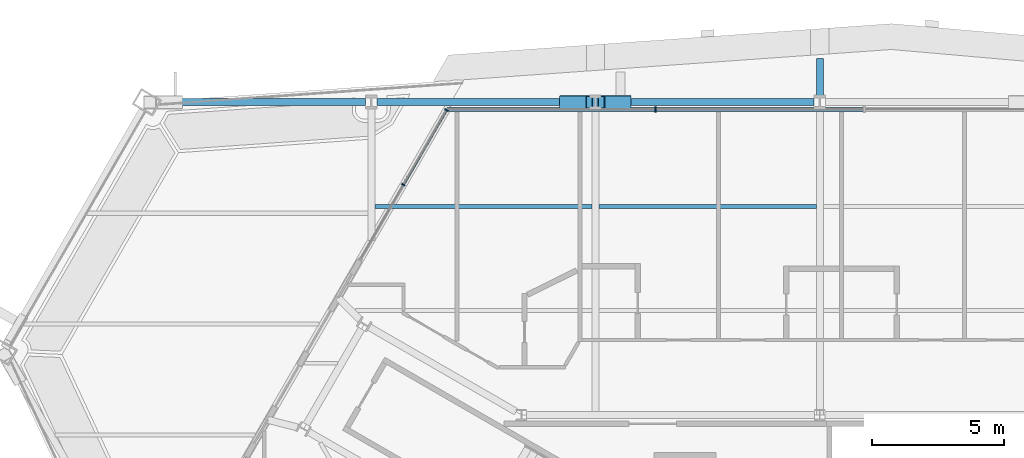
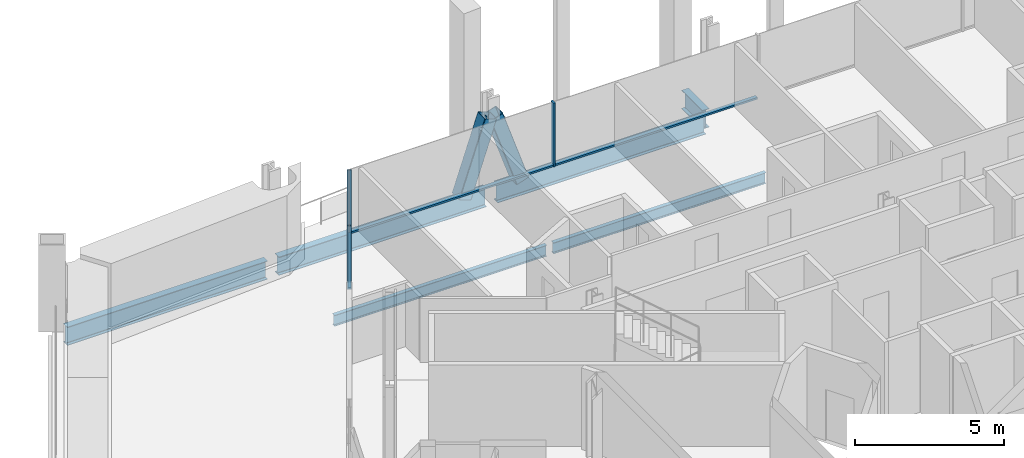
# One storey, part 8 of 19: 8 members, 6 beams, 2 elements without a shape of their own.
"""IFC4 building model written with IfcOpenShell, lengths in metres."""

import ifcopenshell
import ifcopenshell.guid

model = None  # the IFC model being written
_history = None  # IfcOwnerHistory: only IFC2X3 demands one
_inside = {}  # id of a spatial element -> (the spatial element, [elements in it])
_under = {}  # id of a project, library or spatial element -> (it, [spatial elements below it])
_declared = {}  # id of a project -> (the project, [libraries it declares])
_typed = {}  # id of a type object -> (the type object, [elements of that type])
_made_of = {}  # id of a material, layer set ... -> (it, [elements and type objects made of it])


def new_model(schema):
    """Start an empty IFC model of exactly this schema.

    Asked for "IFC4X3", IfcOpenShell would pick the latest addendum, in which some entities
    have other attributes; the version numbers below select the first issue.
    IFC2X3 requires an IfcOwnerHistory on every rooted entity: one is made here for all.
    """
    global model, _history
    if schema == "IFC4X3":
        model = ifcopenshell.file(schema_version=(4, 3, 0, 0))
    else:
        model = ifcopenshell.file(schema=schema)
    _inside.clear()
    _under.clear()
    _declared.clear()
    _typed.clear()
    _made_of.clear()
    _history = None
    if model.schema == "IFC2X3":
        org = make("IfcOrganization", Name="unknown")
        user = make(
            "IfcPersonAndOrganization",
            ThePerson=make("IfcPerson", FamilyName="unknown"),
            TheOrganization=org,
        )
        app = make(
            "IfcApplication",
            ApplicationDeveloper=org,
            Version="unknown",
            ApplicationFullName="unknown",
            ApplicationIdentifier="unknown",
        )
        _history = make(
            "IfcOwnerHistory",
            OwningUser=user,
            OwningApplication=app,
            ChangeAction="ADDED",
            CreationDate=0,
        )
    return model


def make(cls, **values):
    """One entity of the class cls with the attributes given. An attribute that is None is left unset."""
    return model.create_entity(
        cls, **{name: value for name, value in values.items() if value is not None}
    )


def rooted(cls, **values):
    """An entity with a GlobalId (a new one), such as an element, a storey or a relation."""
    return make(cls, GlobalId=ifcopenshell.guid.new(), OwnerHistory=_history, **values)


def si_unit(unit_type, name, prefix=None):
    """IfcSIUnit, for example si_unit("LENGTHUNIT", "METRE", prefix="MILLI")."""
    return make("IfcSIUnit", UnitType=unit_type, Prefix=prefix, Name=name)


def assignment(units):
    """IfcUnitAssignment: the units of a project."""
    return None if units is None else make("IfcUnitAssignment", Units=units)


def point(xyz):
    """IfcCartesianPoint."""
    return None if xyz is None else make("IfcCartesianPoint", Coordinates=xyz)


def direction(xyz):
    """IfcDirection."""
    return None if xyz is None else make("IfcDirection", DirectionRatios=xyz)


def frame(location, z_axis=None, x_axis=None):
    """IfcAxis2Placement3D, a coordinate frame: its origin and axes. An axis left out is left unset."""
    return make(
        "IfcAxis2Placement3D",
        Location=point(location),
        Axis=direction(z_axis),
        RefDirection=direction(x_axis),
    )


def frame_2d(location, x_axis=None):
    """IfcAxis2Placement2D, a coordinate frame in the plane: its origin and x axis."""
    return make(
        "IfcAxis2Placement2D", Location=point(location), RefDirection=direction(x_axis)
    )


def origin():
    """The frame at (0, 0, 0) with its axes left unset."""
    return frame((0.0, 0.0, 0.0))


def origin_2d():
    """The frame at (0, 0) in the plane with its x axis left unset."""
    return frame_2d((0.0, 0.0))


def place(relative_to, where):
    """IfcLocalPlacement: puts the frame where relative to a parent placement (None: the world)."""
    return make(
        "IfcLocalPlacement", PlacementRelTo=relative_to, RelativePlacement=where
    )


def context(
    kind, dimensions, precision=None, world=None, true_north=None, identifier=None
):
    """IfcGeometricRepresentationContext, for example the 3D "Model" context."""
    return make(
        "IfcGeometricRepresentationContext",
        ContextIdentifier=identifier,
        ContextType=kind,
        CoordinateSpaceDimension=dimensions,
        Precision=precision,
        WorldCoordinateSystem=world,
        TrueNorth=true_north,
    )


def subcontext(parent, identifier, kind, view, scale=None):
    """IfcGeometricRepresentationSubContext, for example "Body" below "Model"."""
    return make(
        "IfcGeometricRepresentationSubContext",
        ContextIdentifier=identifier,
        ContextType=kind,
        ParentContext=parent,
        TargetScale=scale,
        TargetView=view,
    )


def project(units=None, contexts=None):
    """IfcProject with its units and contexts."""
    return rooted(
        "IfcProject",
        Name="project",
        RepresentationContexts=contexts,
        UnitsInContext=assignment(units),
    )


def spatial(cls, under=None, at=None, **own):
    """A site, building, storey or space (cls), placed at a placement, below another one or the project."""
    s = rooted(cls, ObjectPlacement=at, **own)
    if under is not None:
        _under.setdefault(under.id(), (under, []))[1].append(s)
    return s


def profile(cls, at=None, kind="AREA", **sizes):
    """A parametric profile (cls). Its sizes go by their IFC names, for example OverallWidth=200.0."""
    return make(cls, ProfileType=kind, Position=at, **sizes)


def rectangle(**sizes):
    """IfcRectangleProfileDef."""
    return profile("IfcRectangleProfileDef", **sizes)


def hollow_rectangle(**sizes):
    """IfcRectangleHollowProfileDef."""
    return profile("IfcRectangleHollowProfileDef", **sizes)


def i_section(**sizes):
    """IfcIShapeProfileDef."""
    return profile("IfcIShapeProfileDef", **sizes)


def extrude(swept, where, along, depth):
    """IfcExtrudedAreaSolid: the profile swept, set in the frame where, extruded along a direction by depth."""
    return make(
        "IfcExtrudedAreaSolid",
        SweptArea=swept,
        Position=where,
        ExtrudedDirection=direction(along),
        Depth=depth,
    )


def shape(context_of_items, identifier, shape_type, items):
    """IfcShapeRepresentation: the items that make up one representation, for example the "Body"."""
    return make(
        "IfcShapeRepresentation",
        ContextOfItems=context_of_items,
        RepresentationIdentifier=identifier,
        RepresentationType=shape_type,
        Items=items,
    )


def material(Name=None, Category=None):
    """IfcMaterial."""
    return make("IfcMaterial", Name=Name, Category=Category)


def material_profile(
    of_material, cross_section, Name=None, Category=None, Priority=None
):
    """IfcMaterialProfile: a cross section and its material."""
    return make(
        "IfcMaterialProfile",
        Name=Name,
        Material=of_material,
        Profile=cross_section,
        Priority=Priority,
        Category=Category,
    )


def profile_set(profiles, Name=None, composite=None):
    """IfcMaterialProfileSet."""
    return make(
        "IfcMaterialProfileSet",
        Name=Name,
        MaterialProfiles=profiles,
        CompositeProfile=composite,
    )


def made_of(thing, what):
    """Note that an element or type object is made of a material, layer set ...; save() writes the relation."""
    if what is not None:
        _made_of.setdefault(what.id(), (what, []))[1].append(thing)
    return thing


def type_object(cls, material=None, **own):
    """A type object (cls), such as IfcWallType, which elements share."""
    return made_of(rooted(cls, **own), material)


def element(
    cls,
    number,
    at=None,
    inside=None,
    cuts=None,
    type_object=None,
    material=None,
    context=None,
    identifier="Body",
    shape_type=None,
    held_by="IfcProductDefinitionShape",
    body=None,
    shapes=None,
    **own,
):
    """One element of the class cls, such as IfcWall. Its Tag is "e" and its number.

    at: its placement. inside: the storey or other place that contains it. cuts: it is an
    opening in that element (IfcRelVoidsElement). A single representation is given by context,
    identifier, shape_type and body (its items); several are given by shapes. held_by: the class
    of the entity that holds the representations. save() writes the other relations.
    """
    e = rooted(cls, Tag="e%d" % number, ObjectPlacement=at, **own)
    if body is not None:
        shapes = [shape(context, identifier, shape_type, body)]
    if shapes is not None:
        e.Representation = make(held_by, Representations=shapes)
    if inside is not None:
        _inside.setdefault(inside.id(), (inside, []))[1].append(e)
    if cuts is not None:
        rooted(
            "IfcRelVoidsElement", RelatingBuildingElement=cuts, RelatedOpeningElement=e
        )
    if type_object is not None:
        _typed.setdefault(type_object.id(), (type_object, []))[1].append(e)
    return made_of(e, material)


def aggregate(whole, parts):
    """IfcRelAggregates: a whole, such as a stair, and the parts it consists of."""
    return rooted("IfcRelAggregates", RelatingObject=whole, RelatedObjects=parts)


def save(model, path):
    """Write the relations noted so far, then the file.

    IfcRelAggregates (storeys below a building ...), IfcRelContainedInSpatialStructure (elements
    in a storey), IfcRelDefinesByType, IfcRelAssociatesMaterial and IfcRelDeclares: one each for
    every whole, place, type object, material and project.
    """
    for whole, parts in _under.values():
        aggregate(whole, parts)
    for where, things in _inside.values():
        rooted(
            "IfcRelContainedInSpatialStructure",
            RelatedElements=things,
            RelatingStructure=where,
        )
    for kind, things in _typed.values():
        rooted("IfcRelDefinesByType", RelatedObjects=things, RelatingType=kind)
    for what, things in _made_of.values():
        rooted("IfcRelAssociatesMaterial", RelatedObjects=things, RelatingMaterial=what)
    for by, libraries in _declared.values():
        rooted("IfcRelDeclares", RelatingContext=by, RelatedDefinitions=libraries)
    model.write(path)


model = new_model("IFC4")

# Units and contexts
model_context = context("Model", 3, precision=1e-05, world=origin(), true_north=direction((0.0, 1.0)))
body_context = subcontext(model_context, "Body", "Model", "MODEL_VIEW")
ifc_project = project(units=[si_unit("LENGTHUNIT", "METRE"), si_unit("AREAUNIT", "SQUARE_METRE"), si_unit("VOLUMEUNIT", "CUBIC_METRE"), si_unit("PLANEANGLEUNIT", "RADIAN"), si_unit("MASSUNIT", "GRAM", prefix="KILO")], contexts=[model_context])

# Site, building, storey
site_placement = place(None, origin())
site = spatial("IfcSite", under=ifc_project, at=site_placement, CompositionType="ELEMENT")
building_placement = place(site_placement, origin())
building = spatial("IfcBuilding", under=site, at=building_placement, Name="Verrane Prism Tower", CompositionType="ELEMENT")
storey_placement = place(building_placement, frame((0.0, 0.0, 58.39990234375)))
storey = spatial("IfcBuildingStorey", under=building, at=storey_placement, Name="L12", CompositionType="ELEMENT", Elevation=58.39990234375)

# Members
ifc_material_1 = material(Name="Steel A1085 Grade A", Category="steel")
ifc_material_profile_1 = material_profile(ifc_material_1, hollow_rectangle(XDim=0.508056640625, YDim=0.508056640625, WallThickness=0.025390625, InnerFilletRadius=0.0126953125, OuterFilletRadius=0.0380859375, at=origin_2d()), Name="HSS20x20x1")
ifc_profile_set_1 = profile_set([ifc_material_profile_1], Name="Steel A1085 Grade A")
member_type_1 = type_object("IfcMemberType", Name="Facade brace HSS20x20x1", PredefinedType="BRACE", material=ifc_profile_set_1)
member_1_placement = place(storey_placement, frame((-7.40283203125, 21.070068359375, -0.242431640625), z_axis=(-0.320322509025, 0.0, 0.947308550691), x_axis=(0.0, -1.0, 0.0)))
element("IfcMember", 1, at=member_1_placement, inside=storey, type_object=member_type_1, Name="Facade brace N3 L12", PredefinedType="BRACE", context=body_context, shape_type="SweptSolid", body=[
    extrude(hollow_rectangle(XDim=0.508056640625, YDim=0.508056640625, WallThickness=0.025390625, InnerFilletRadius=0.0126953125, OuterFilletRadius=0.0380859375, at=origin_2d()), origin(), (0.0, 0.0, 1.0), 3.1279296875),
])
member_2_placement = place(storey_placement, frame((-9.6357421875, 21.070068359375, -0.242431640625), z_axis=(0.319972229755, 0.0, 0.947426921818), x_axis=(0.0, 1.0, 0.0)))
element("IfcMember", 2, at=member_2_placement, inside=storey, type_object=member_type_1, Name="Facade brace N4 L12", PredefinedType="BRACE", context=body_context, shape_type="SweptSolid", body=[
    extrude(hollow_rectangle(XDim=0.508056640625, YDim=0.508056640625, WallThickness=0.025390625, InnerFilletRadius=0.0126953125, OuterFilletRadius=0.0380859375, at=origin_2d()), origin(), (0.0, 0.0, 1.0), 3.12744140625),
])

# Beams
ifc_material_2 = material(Name="Steel A992", Category="steel")
ifc_material_profile_2 = material_profile(ifc_material_2, i_section(OverallWidth=0.15234375, OverallDepth=0.449462890625, WebThickness=0.007568359375, FlangeThickness=0.0107421875, FilletRadius=0.01025390625, at=origin_2d()), Name="W18x35")
ifc_profile_set_2 = profile_set([ifc_material_profile_2], Name="Steel A992")
beam_type_1 = type_object("IfcBeamType", Name="Floor beam W18x35", PredefinedType="BEAM", material=ifc_profile_set_2)
beam_1_placement = place(storey_placement, frame((-8.386474609375, 17.11328125, -0.384765625), z_axis=(1.0, 0.0, 0.0), x_axis=(0.0, 1.0, 0.0)))
element("IfcBeam", 3, at=beam_1_placement, inside=storey, type_object=beam_type_1, Name="Floor beam L12", PredefinedType="BEAM", context=body_context, shape_type="SweptSolid", body=[
    extrude(i_section(OverallWidth=0.15234375, OverallDepth=0.449462890625, WebThickness=0.007568359375, FlangeThickness=0.0107421875, FilletRadius=0.01025390625, at=origin_2d()), origin(), (0.0, 0.0, 1.0), 8.2529296875),
])
beam_2_placement = place(storey_placement, frame((-16.896484375, 17.11328125, -0.384765625), z_axis=(1.0, 0.0, 0.0), x_axis=(0.0, 1.0, 0.0)))
element("IfcBeam", 4, at=beam_2_placement, inside=storey, type_object=beam_type_1, Name="Floor beam L12", PredefinedType="BEAM", context=body_context, shape_type="SweptSolid", body=[
    extrude(i_section(OverallWidth=0.15234375, OverallDepth=0.449462890625, WebThickness=0.007568359375, FlangeThickness=0.0107421875, FilletRadius=0.01025390625, at=origin_2d()), origin(), (0.0, 0.0, 1.0), 8.242919921875),
])

# Curtain wall, members
ifc_material_3 = material(Name="Aluminium framed insulated glazing", Category="aluminium")
curtain_wall_type_1 = type_object("IfcCurtainWallType", Name="Curtain wall CW-C 4200 module", PredefinedType="NOTDEFINED", material=ifc_material_3)
curtain_wall_1_placement = place(storey_placement, origin())
curtain_wall_1 = element("IfcCurtainWall", 5, at=curtain_wall_1_placement, inside=storey, type_object=curtain_wall_type_1, Name="Glazed curtain wall garden cut line L12 1", PredefinedType="NOTDEFINED")
ifc_material_4 = material(Name="Aluminium alloy 6063-T6", Category="aluminium")
ifc_material_profile_3 = material_profile(ifc_material_4, rectangle(XDim=0.139892578125, YDim=0.050048828125, at=origin_2d()), Name="Mullion 50x140 aluminium")
ifc_profile_set_3 = profile_set([ifc_material_profile_3], Name="Aluminium alloy 6063-T6")
member_type_2 = type_object("IfcMemberType", Name="Mullion 50x140 aluminium", PredefinedType="MULLION", material=ifc_profile_set_3)
member_3_placement = place(storey_placement, frame((-14.1748046875, 20.769287109375, 0.0), z_axis=(0.0, 0.0, 1.0), x_axis=(0.866024724318, -0.500001176868, 0.0)))
member_3 = element("IfcMember", 6, at=member_3_placement, type_object=member_type_2, Name="CW12.3.1 mullion 1", PredefinedType="MULLION", context=body_context, shape_type="SweptSolid", body=[
    extrude(rectangle(XDim=0.139892578125, YDim=0.050048828125, at=origin_2d()), origin(), (0.0, 0.0, 1.0), 2.613037109375),
])
member_4_placement = place(storey_placement, frame((-15.81103515625, 17.935546875, 0.0), z_axis=(0.0, 0.0, 1.0), x_axis=(0.866024724318, -0.500001176868, 0.0)))
member_4 = element("IfcMember", 7, at=member_4_placement, type_object=member_type_2, Name="CW12.3.1 mullion 2", PredefinedType="MULLION", context=body_context, shape_type="SweptSolid", body=[
    extrude(rectangle(XDim=0.139892578125, YDim=0.050048828125, at=origin_2d()), origin(), (0.0, 0.0, 1.0), 2.613037109375),
])

# Curtain wall, member
ifc_material_5 = material(Name="Aluminium framed insulated glazing", Category="aluminium")
curtain_wall_type_2 = type_object("IfcCurtainWallType", Name="Curtain wall CW-A 8400 module", PredefinedType="NOTDEFINED", material=ifc_material_5)
curtain_wall_2_placement = place(storey_placement, origin())
curtain_wall_2 = element("IfcCurtainWall", 8, at=curtain_wall_2_placement, inside=storey, type_object=curtain_wall_type_2, Name="Glazed curtain wall north face L12", PredefinedType="NOTDEFINED")
ifc_material_6 = material(Name="Aluminium alloy 6063-T6", Category="aluminium")
ifc_material_profile_4 = material_profile(ifc_material_6, rectangle(XDim=0.199951171875, YDim=0.070068359375, at=origin_2d()), Name="Mullion 70x200 aluminium")
ifc_profile_set_4 = profile_set([ifc_material_profile_4], Name="Aluminium alloy 6063-T6")
member_type_3 = type_object("IfcMemberType", Name="Mullion 70x200 aluminium", PredefinedType="MULLION", material=ifc_profile_set_4)
member_5_placement = place(storey_placement, frame((-6.23486328125, 20.791015625, 0.0), z_axis=(0.0, 0.0, 1.0), x_axis=(0.0, -1.0, 0.0)))
member_5 = element("IfcMember", 9, at=member_5_placement, type_object=member_type_3, Name="CW12.2 mullion 5", PredefinedType="MULLION", context=body_context, shape_type="SweptSolid", body=[
    extrude(rectangle(XDim=0.199951171875, YDim=0.070068359375, at=origin_2d()), origin(), (0.0, 0.0, 1.0), 2.613037109375),
])

# Beams
ifc_material_7 = material(Name="Steel A992", Category="steel")
ifc_material_profile_5 = material_profile(ifc_material_7, i_section(OverallWidth=0.2666015625, OverallDepth=0.76708984375, WebThickness=0.014892578125, FlangeThickness=0.023681640625, FilletRadius=0.0166015625, at=origin_2d()), Name="W30x124")
ifc_profile_set_5 = profile_set([ifc_material_profile_5], Name="Steel A992")
beam_type_2 = type_object("IfcBeamType", Name="Radial girder W30x124", PredefinedType="BEAM", material=ifc_profile_set_5)
beam_3_placement = place(storey_placement, frame((0.0, 21.331298828125, -0.603515625), z_axis=(0.0, 1.0, 0.0), x_axis=(-1.0, 0.0, 0.0)))
element("IfcBeam", 10, at=beam_3_placement, inside=storey, type_object=beam_type_2, Name="Cantilever girder L12", PredefinedType="BEAM", context=body_context, shape_type="SweptSolid", body=[
    extrude(i_section(OverallWidth=0.2666015625, OverallDepth=0.76708984375, WebThickness=0.014892578125, FlangeThickness=0.023681640625, FilletRadius=0.0166015625, at=origin_2d()), origin(), (0.0, 0.0, 1.0), 1.392578125),
])
ifc_material_8 = material(Name="Steel A992", Category="steel")
ifc_material_profile_6 = material_profile(ifc_material_8, i_section(OverallWidth=0.2666015625, OverallDepth=0.7568359375, WebThickness=0.013916015625, FlangeThickness=0.019287109375, FilletRadius=0.0166015625, at=origin_2d()), Name="W30x108")
ifc_profile_set_6 = profile_set([ifc_material_profile_6], Name="Steel A992")
beam_type_3 = type_object("IfcBeamType", Name="Spandrel beam W30x108", PredefinedType="SPANDREL", material=ifc_profile_set_6)
beam_4_placement = place(storey_placement, frame((-0.220947265625, 21.070068359375, -0.538330078125), z_axis=(-1.0, 0.0, 0.0), x_axis=(0.0, -1.0, 0.0)))
element("IfcBeam", 11, at=beam_4_placement, inside=storey, type_object=beam_type_3, Name="Spandrel beam L12", PredefinedType="SPANDREL", context=body_context, shape_type="SweptSolid", body=[
    extrude(i_section(OverallWidth=0.2666015625, OverallDepth=0.7568359375, WebThickness=0.013916015625, FlangeThickness=0.019287109375, FilletRadius=0.0166015625, at=origin_2d()), origin(), (0.0, 0.0, 1.0), 8.078125),
])
beam_5_placement = place(storey_placement, frame((-8.740966796875, 21.070068359375, -0.538330078125), z_axis=(-1.0, 0.0, 0.0), x_axis=(0.0, -1.0, 0.0)))
element("IfcBeam", 12, at=beam_5_placement, inside=storey, type_object=beam_type_3, Name="Spandrel beam L12", PredefinedType="SPANDREL", context=body_context, shape_type="SweptSolid", body=[
    extrude(i_section(OverallWidth=0.2666015625, OverallDepth=0.7568359375, WebThickness=0.013916015625, FlangeThickness=0.019287109375, FilletRadius=0.0166015625, at=origin_2d()), origin(), (0.0, 0.0, 1.0), 8.068115234375),
])
beam_6_placement = place(storey_placement, frame((-17.2509765625, 21.070068359375, -0.538330078125), z_axis=(-1.0, 0.0, 0.0), x_axis=(0.0, -1.0, 0.0)))
element("IfcBeam", 13, at=beam_6_placement, inside=storey, type_object=beam_type_3, Name="Spandrel beam L12", PredefinedType="SPANDREL", context=body_context, shape_type="SweptSolid", body=[
    extrude(i_section(OverallWidth=0.2666015625, OverallDepth=0.7568359375, WebThickness=0.013916015625, FlangeThickness=0.019287109375, FilletRadius=0.0166015625, at=origin_2d()), origin(), (0.0, 0.0, 1.0), 7.779541015625),
])

# Member
ifc_material_9 = material(Name="Aluminium alloy 6063-T6", Category="aluminium")
ifc_material_profile_7 = material_profile(ifc_material_9, rectangle(XDim=0.10009765625, YDim=0.050048828125, at=origin_2d()), Name="Transom 50x100 aluminium")
ifc_profile_set_7 = profile_set([ifc_material_profile_7], Name="Aluminium alloy 6063-T6")
member_type_4 = type_object("IfcMemberType", Name="Transom 50x100 aluminium", PredefinedType="USERDEFINED", material=ifc_profile_set_7)
member_6_placement = place(storey_placement, frame((-14.1875, 20.747802734375, 0.025146484375), z_axis=(-0.499993545862, -0.866029130051, 0.0), x_axis=(0.866029130051, -0.499993545862, 0.0)))
member_6 = element("IfcMember", 14, at=member_6_placement, type_object=member_type_4, Name="CW12.3.1 transom 1", ObjectType="TRANSOM", PredefinedType="USERDEFINED", context=body_context, shape_type="SweptSolid", body=[
    extrude(rectangle(XDim=0.10009765625, YDim=0.050048828125, at=origin_2d()), origin(), (0.0, 0.0, 1.0), 3.22216796875),
])

aggregate(curtain_wall_1, [member_3, member_4, member_6])

ifc_material_10 = material(Name="Aluminium alloy 6063-T6", Category="aluminium")
ifc_material_profile_8 = material_profile(ifc_material_10, rectangle(XDim=0.14990234375, YDim=0.070068359375, at=origin_2d()), Name="Transom 70x150 aluminium")
ifc_profile_set_8 = profile_set([ifc_material_profile_8], Name="Aluminium alloy 6063-T6")
member_type_5 = type_object("IfcMemberType", Name="Transom 70x150 aluminium", PredefinedType="USERDEFINED", material=ifc_profile_set_8)
member_7_placement = place(storey_placement, frame((1.65771484375, 20.791015625, 0.03515625), z_axis=(-1.0, 0.0, 0.0), x_axis=(0.0, -1.0, 0.0)))
member_7 = element("IfcMember", 15, at=member_7_placement, type_object=member_type_5, Name="CW12.2 transom 4", ObjectType="TRANSOM", PredefinedType="USERDEFINED", context=body_context, shape_type="SweptSolid", body=[
    extrude(rectangle(XDim=0.14990234375, YDim=0.070068359375, at=origin_2d()), origin(), (0.0, 0.0, 1.0), 7.857666015625),
])

member_8_placement = place(storey_placement, frame((-6.269775390625, 20.791015625, 0.03515625), z_axis=(-1.0, 0.0, 0.0), x_axis=(0.0, -1.0, 0.0)))
member_8 = element("IfcMember", 16, at=member_8_placement, type_object=member_type_5, Name="CW12.2 transom 5", ObjectType="TRANSOM", PredefinedType="USERDEFINED", context=body_context, shape_type="SweptSolid", body=[
    extrude(rectangle(XDim=0.14990234375, YDim=0.070068359375, at=origin_2d()), origin(), (0.0, 0.0, 1.0), 7.892578125),
])

aggregate(curtain_wall_2, [member_5, member_7, member_8])

save(model, "model.ifc")
